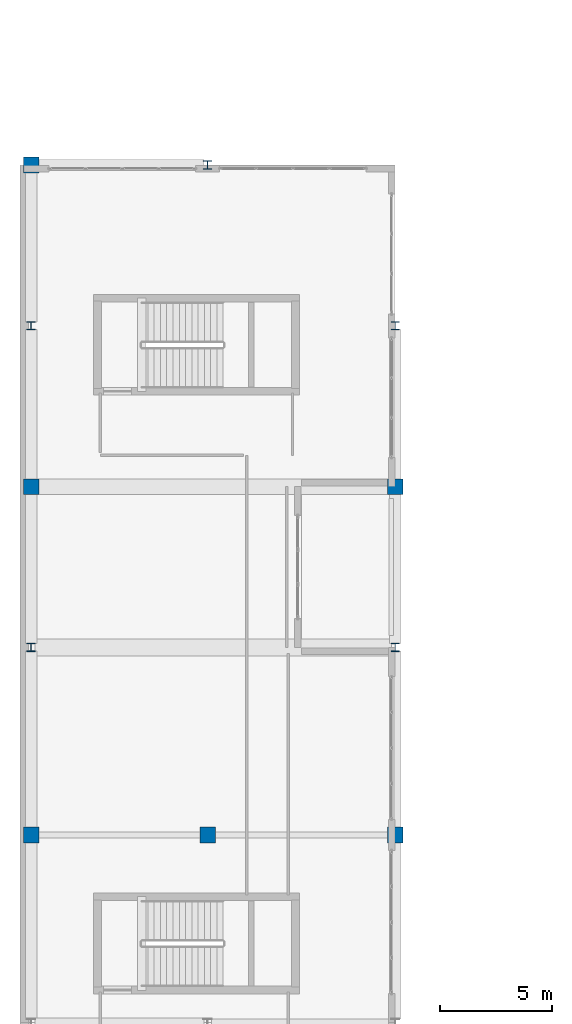
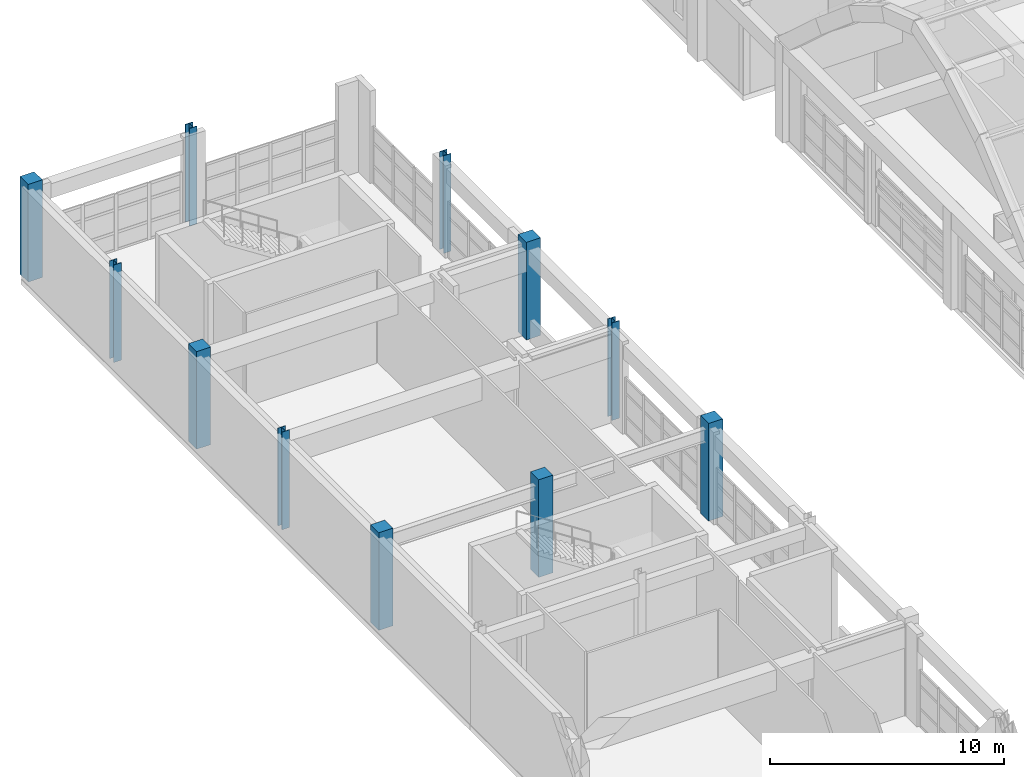
# One storey, part 5 of 103: 11 columns.
"""IFC4 building model written with IfcOpenShell, lengths in metres."""

from ifc_helpers import new_model, si_unit, direction, frame, origin, origin_2d, place, context, subcontext, project, spatial, rectangle, i_section, extrude, material, material_profile, profile_set, type_object, element, save


model = new_model("IFC4")

# Units and contexts
model_context = context("Model", 3, precision=1e-05, world=origin(), true_north=direction((0.0, 1.0)))
body_context = subcontext(model_context, "Body", "Model", "MODEL_VIEW")
ifc_project = project(units=[si_unit("LENGTHUNIT", "METRE"), si_unit("AREAUNIT", "SQUARE_METRE"), si_unit("VOLUMEUNIT", "CUBIC_METRE"), si_unit("PLANEANGLEUNIT", "RADIAN"), si_unit("MASSUNIT", "GRAM", prefix="KILO")], contexts=[model_context])

# Site, building, storey
site_placement = place(None, origin())
site = spatial("IfcSite", under=ifc_project, at=site_placement, CompositionType="ELEMENT")
building_placement = place(site_placement, origin())
building = spatial("IfcBuilding", under=site, at=building_placement, Name="Quendrovan Civic Courthouse", CompositionType="ELEMENT")
storey_placement = place(building_placement, frame((0.0, 0.0, 15.300048828125)))
storey = spatial("IfcBuildingStorey", under=building, at=storey_placement, Name="L04", CompositionType="ELEMENT", Elevation=15.300048828125)

# Columns
ifc_material_1 = material(Name="Concrete C45/55", Category="concrete")
ifc_material_profile_1 = material_profile(ifc_material_1, rectangle(XDim=0.699951171875, YDim=0.699951171875, at=origin_2d()), Name="RC-COL-700x700")
ifc_profile_set_1 = profile_set([ifc_material_profile_1], Name="Concrete C45/55")
column_type_1 = type_object("IfcColumnType", Name="COL-RC700", PredefinedType="COLUMN", material=ifc_profile_set_1)
for number, where, z_axis, x_axis, name in (
    (1, (0.5, 64.800048828125, 0.0), (0.0, 0.0, 1.0), (1.0, 0.0, 0.0), "L04 Column 1-J"),
    (2, (0.5, 80.39990234375, 0.0), (0.0, 0.0, 1.0), (1.0, 0.0, 0.0), "L04 Column 1-L"),
    (3, (0.5, 94.800048828125, 0.0), (0.0, 0.0, 1.0), (1.0, 0.0, 0.0), "L04 Column 1-N"),
    (4, (8.39990234375, 64.800048828125, 0.0), (0.0, 0.0, 1.0), (1.0, 0.0, 0.0), "L04 Column 2-J"),
    (5, (16.800048828125, 64.800048828125, 0.0), (0.0, 0.0, 1.0), (1.0, 0.0, 0.0), "L04 Column 3-J"),
    (6, (16.800048828125, 80.39990234375, 0.0), (0.0, 0.0, 1.0), (1.0, 0.0, 0.0), "L04 Column 3-L"),
):
    element("IfcColumn", number, at=place(storey_placement, frame(where, z_axis=z_axis, x_axis=x_axis)), inside=storey, type_object=column_type_1, Name=name, PredefinedType="COLUMN", context=body_context, shape_type="SweptSolid", body=[
        extrude(rectangle(XDim=0.699951171875, YDim=0.699951171875, at=origin_2d()), origin(), (0.0, 0.0, 1.0), 5.099853515625),
    ])
ifc_material_2 = material(Name="Steel ASTM A992 Grade 50", Category="steel")
ifc_material_profile_2 = material_profile(ifc_material_2, i_section(OverallWidth=0.3740234375, OverallDepth=0.3720703125, WebThickness=0.016357421875, FlangeThickness=0.026123046875, at=origin_2d()), Name="W14X132")
ifc_profile_set_2 = profile_set([ifc_material_profile_2], Name="Steel ASTM A992 Grade 50")
column_type_2 = type_object("IfcColumnType", Name="COL-STL-W14X132", PredefinedType="COLUMN", material=ifc_profile_set_2)
for number, where, z_axis, x_axis, name in (
    (7, (0.5, 73.199951171875, 0.0), (0.0, 0.0, 1.0), (1.0, 0.0, 0.0), "L04 Column 1-K"),
    (8, (0.5, 87.60009765625, 0.0), (0.0, 0.0, 1.0), (1.0, 0.0, 0.0), "L04 Column 1-M"),
    (9, (8.39990234375, 94.800048828125, 0.0), (0.0, 0.0, 1.0), (1.0, 0.0, 0.0), "L04 Column 2-N"),
    (10, (16.800048828125, 73.199951171875, 0.0), (0.0, 0.0, 1.0), (1.0, 0.0, 0.0), "L04 Column 3-K"),
    (11, (16.800048828125, 87.60009765625, 0.0), (0.0, 0.0, 1.0), (1.0, 0.0, 0.0), "L04 Column 3-M"),
):
    element("IfcColumn", number, at=place(storey_placement, frame(where, z_axis=z_axis, x_axis=x_axis)), inside=storey, type_object=column_type_2, Name=name, PredefinedType="COLUMN", context=body_context, shape_type="SweptSolid", body=[
        extrude(i_section(OverallWidth=0.3740234375, OverallDepth=0.3720703125, WebThickness=0.016357421875, FlangeThickness=0.026123046875, at=origin_2d()), origin(), (0.0, 0.0, 1.0), 5.099853515625),
    ])

save(model, "model.ifc")
